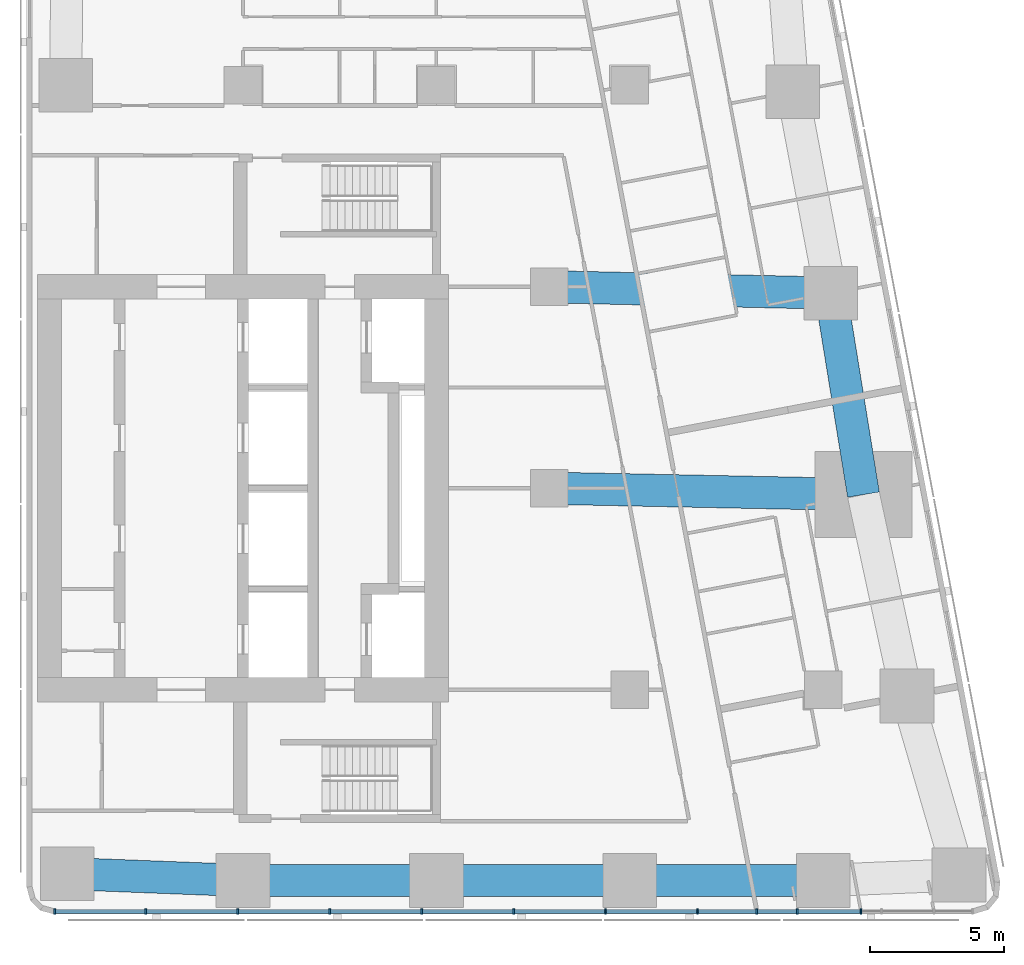
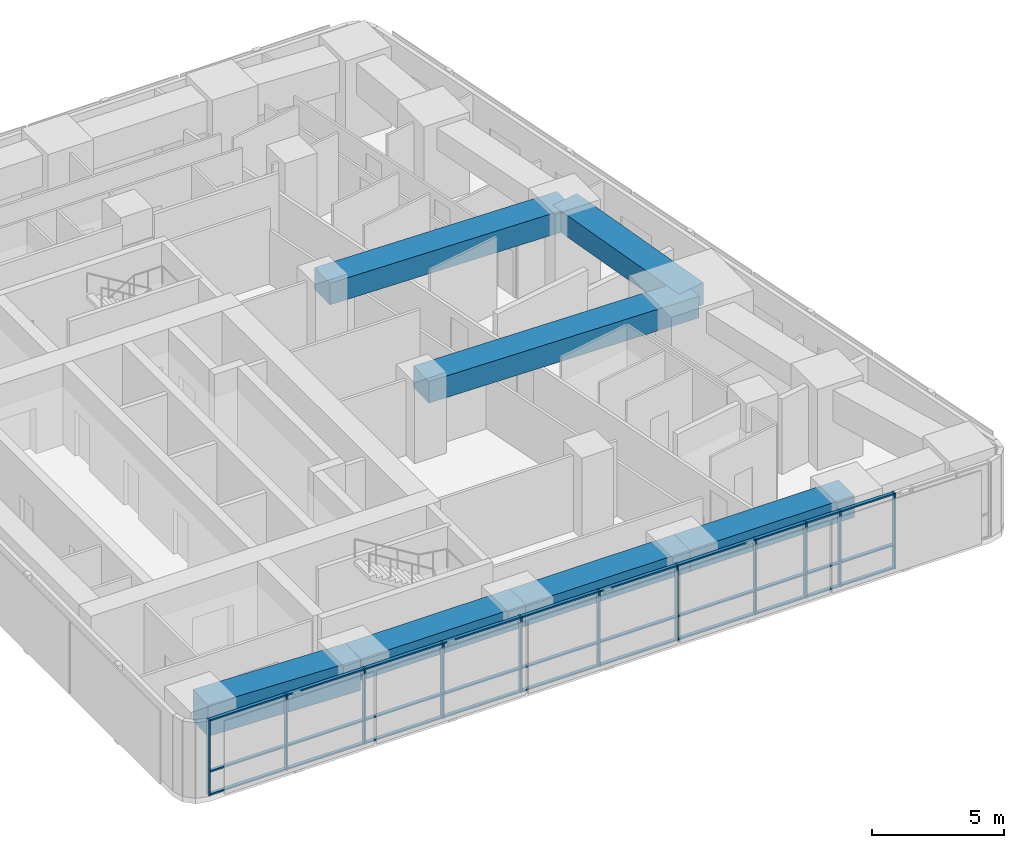
# One storey, part 2 of 11: 41 members, 7 beams, 1 element without a shape of its own.
"""IFC4 building model written with IfcOpenShell, lengths in metres."""

from ifc_helpers import new_model, si_unit, direction, frame, origin, origin_2d, place, context, subcontext, project, spatial, rectangle, extrude, material, material_profile, profile_set, type_object, element, aggregate, save


model = new_model("IFC4")

# Units and contexts
model_context = context("Model", 3, precision=1e-05, world=origin(), true_north=direction((0.0, 1.0)))
body_context = subcontext(model_context, "Body", "Model", "MODEL_VIEW")
ifc_project = project(units=[si_unit("LENGTHUNIT", "METRE"), si_unit("AREAUNIT", "SQUARE_METRE"), si_unit("VOLUMEUNIT", "CUBIC_METRE"), si_unit("PLANEANGLEUNIT", "RADIAN"), si_unit("MASSUNIT", "GRAM", prefix="KILO")], contexts=[model_context])

# Site, building, storey
site_placement = place(None, origin())
site = spatial("IfcSite", under=ifc_project, at=site_placement, CompositionType="ELEMENT")
building_placement = place(site_placement, origin())
building = spatial("IfcBuilding", under=site, at=building_placement, Name="Sheger Commons Tower", CompositionType="ELEMENT")
storey_placement = place(building_placement, frame((0.0, 0.0, 270.35009765625)))
storey = spatial("IfcBuildingStorey", under=building, at=storey_placement, Name="L69", CompositionType="ELEMENT", Elevation=270.35009765625)

# Beams
ifc_material_1 = material(Name="Concrete C50/60", Category="concrete")
ifc_material_profile_1 = material_profile(ifc_material_1, rectangle(XDim=1.199951171875, YDim=1.0, at=origin_2d()), Name="RC 1200x1000")
ifc_profile_set_1 = profile_set([ifc_material_profile_1], Name="Concrete C50/60")
beam_type_1 = type_object("IfcBeamType", Name="BEAM RC 1200x1000", PredefinedType="BEAM", material=ifc_profile_set_1)
beam_1_placement = place(storey_placement, frame((33.0, 22.5, 3.0), z_axis=(0.999794692776, -0.02026258368, 0.0), x_axis=(0.02026258368, 0.999794692776, 0.0)))
element("IfcBeam", 1, at=beam_1_placement, inside=storey, type_object=beam_type_1, Name="Beam 6-3000/D-7/D under L70", PredefinedType="BEAM", context=body_context, shape_type="SweptSolid", body=[
    extrude(rectangle(XDim=1.199951171875, YDim=1.0, at=origin_2d()), origin(), (0.0, 0.0, 1.0), 11.699462890625),
])
beam_2_placement = place(storey_placement, frame((33.0, 30.0, 3.0), z_axis=(0.999744258625, -0.022614538395, 0.0), x_axis=(0.022614538395, 0.999744258625, 0.0)))
element("IfcBeam", 2, at=beam_2_placement, inside=storey, type_object=beam_type_1, Name="Beam 6-3000/E-E/E under L70", PredefinedType="BEAM", context=body_context, shape_type="SweptSolid", body=[
    extrude(rectangle(XDim=1.199951171875, YDim=1.0, at=origin_2d()), origin(), (0.0, 0.0, 1.0), 10.482666015625),
])

# Curtain wall, members
ifc_material_2 = material(Name="Black aluminium curtain wall, dark tinted glazing", Category="aluminium")
curtain_wall_type = type_object("IfcCurtainWallType", Name="CURTAIN WALL CW5 SOUTH GALLERY", PredefinedType="USERDEFINED", material=ifc_material_2)
curtain_wall_placement = place(storey_placement, origin())
curtain_wall = element("IfcCurtainWall", 3, at=curtain_wall_placement, inside=storey, type_object=curtain_wall_type, Name="Curtain Wall Cw5 South Gallery S1 L69", ObjectType="UNITISED CURTAIN WALL", PredefinedType="USERDEFINED")
ifc_material_3 = material(Name="Black anodised aluminium", Category="aluminium")
ifc_material_profile_2 = material_profile(ifc_material_3, rectangle(XDim=0.199951171875, YDim=0.06494140625, at=origin_2d()), Name="AL 65x200")
ifc_profile_set_2 = profile_set([ifc_material_profile_2], Name="Black anodised aluminium")
member_type_1 = type_object("IfcMemberType", Name="MULLION AL 65x200", PredefinedType="MULLION", material=ifc_profile_set_2)
member_1_placement = place(storey_placement, frame((14.595458984375, 6.75, 0.0), z_axis=(0.0, 0.0, 1.0), x_axis=(0.0, 1.0, 0.0)))
member_1 = element("IfcMember", 4, at=member_1_placement, type_object=member_type_1, Name="CW5 mullion 1", PredefinedType="MULLION", context=body_context, shape_type="SweptSolid", body=[
    extrude(rectangle(XDim=0.199951171875, YDim=0.06494140625, at=origin_2d()), origin(), (0.0, 0.0, 1.0), 3.5),
])
member_2_placement = place(storey_placement, frame((17.985107421875, 6.75, 0.0), z_axis=(0.0, 0.0, 1.0), x_axis=(0.0, 1.0, 0.0)))
member_2 = element("IfcMember", 5, at=member_2_placement, type_object=member_type_1, Name="CW5 mullion 2", PredefinedType="MULLION", context=body_context, shape_type="SweptSolid", body=[
    extrude(rectangle(XDim=0.199951171875, YDim=0.06494140625, at=origin_2d()), origin(), (0.0, 0.0, 1.0), 3.5),
])
member_3_placement = place(storey_placement, frame((21.407958984375, 6.75, 0.0), z_axis=(0.0, 0.0, 1.0), x_axis=(0.0, 1.0, 0.0)))
member_3 = element("IfcMember", 6, at=member_3_placement, type_object=member_type_1, Name="CW5 mullion 3", PredefinedType="MULLION", context=body_context, shape_type="SweptSolid", body=[
    extrude(rectangle(XDim=0.199951171875, YDim=0.06494140625, at=origin_2d()), origin(), (0.0, 0.0, 1.0), 3.5),
])
member_4_placement = place(storey_placement, frame((24.830078125, 6.75, 0.0), z_axis=(0.0, 0.0, 1.0), x_axis=(0.0, 1.0, 0.0)))
member_4 = element("IfcMember", 7, at=member_4_placement, type_object=member_type_1, Name="CW5 mullion 4", PredefinedType="MULLION", context=body_context, shape_type="SweptSolid", body=[
    extrude(rectangle(XDim=0.199951171875, YDim=0.06494140625, at=origin_2d()), origin(), (0.0, 0.0, 1.0), 3.5),
])
member_5_placement = place(storey_placement, frame((28.2529296875, 6.75, 0.0), z_axis=(0.0, 0.0, 1.0), x_axis=(0.0, 1.0, 0.0)))
member_5 = element("IfcMember", 8, at=member_5_placement, type_object=member_type_1, Name="CW5 mullion 5", PredefinedType="MULLION", context=body_context, shape_type="SweptSolid", body=[
    extrude(rectangle(XDim=0.199951171875, YDim=0.06494140625, at=origin_2d()), origin(), (0.0, 0.0, 1.0), 3.5),
])
member_6_placement = place(storey_placement, frame((31.675048828125, 6.75, 0.0), z_axis=(0.0, 0.0, 1.0), x_axis=(0.0, 1.0, 0.0)))
member_6 = element("IfcMember", 9, at=member_6_placement, type_object=member_type_1, Name="CW5 mullion 6", PredefinedType="MULLION", context=body_context, shape_type="SweptSolid", body=[
    extrude(rectangle(XDim=0.199951171875, YDim=0.06494140625, at=origin_2d()), origin(), (0.0, 0.0, 1.0), 3.5),
])
member_7_placement = place(storey_placement, frame((35.096923828125, 6.75, 0.0), z_axis=(0.0, 0.0, 1.0), x_axis=(0.0, 1.0, 0.0)))
member_7 = element("IfcMember", 10, at=member_7_placement, type_object=member_type_1, Name="CW5 mullion 7", PredefinedType="MULLION", context=body_context, shape_type="SweptSolid", body=[
    extrude(rectangle(XDim=0.199951171875, YDim=0.06494140625, at=origin_2d()), origin(), (0.0, 0.0, 1.0), 3.5),
])
member_8_placement = place(storey_placement, frame((38.52001953125, 6.75, 0.0), z_axis=(0.0, 0.0, 1.0), x_axis=(0.0, 1.0, 0.0)))
member_8 = element("IfcMember", 11, at=member_8_placement, type_object=member_type_1, Name="CW5 mullion 8", PredefinedType="MULLION", context=body_context, shape_type="SweptSolid", body=[
    extrude(rectangle(XDim=0.199951171875, YDim=0.06494140625, at=origin_2d()), origin(), (0.0, 0.0, 1.0), 3.5),
])
member_9_placement = place(storey_placement, frame((40.72900390625, 6.75, 0.0), z_axis=(0.0, 0.0, 1.0), x_axis=(0.0, 1.0, 0.0)))
member_9 = element("IfcMember", 12, at=member_9_placement, type_object=member_type_1, Name="CW5 mullion 9", PredefinedType="MULLION", context=body_context, shape_type="SweptSolid", body=[
    extrude(rectangle(XDim=0.199951171875, YDim=0.06494140625, at=origin_2d()), origin(), (0.0, 0.0, 1.0), 3.5),
])
member_10_placement = place(storey_placement, frame((42.22802734375, 6.75, 0.0), z_axis=(0.0, 0.0, 1.0), x_axis=(0.0, 1.0, 0.0)))
member_10 = element("IfcMember", 13, at=member_10_placement, type_object=member_type_1, Name="CW5 mullion 10", PredefinedType="MULLION", context=body_context, shape_type="SweptSolid", body=[
    extrude(rectangle(XDim=0.199951171875, YDim=0.06494140625, at=origin_2d()), origin(), (0.0, 0.0, 1.0), 3.5),
])
member_11_placement = place(storey_placement, frame((44.60595703125, 6.75, 0.0), z_axis=(0.0, 0.0, 1.0), x_axis=(0.0, 1.0, 0.0)))
member_11 = element("IfcMember", 14, at=member_11_placement, type_object=member_type_1, Name="CW5 mullion 11", PredefinedType="MULLION", context=body_context, shape_type="SweptSolid", body=[
    extrude(rectangle(XDim=0.199951171875, YDim=0.06494140625, at=origin_2d()), origin(), (0.0, 0.0, 1.0), 3.5),
])

# Beams
ifc_material_4 = material(Name="Concrete C50/60", Category="concrete")
ifc_material_profile_3 = material_profile(ifc_material_4, rectangle(XDim=1.199951171875, YDim=1.0, at=origin_2d()), Name="RC 1200x1000")
ifc_profile_set_3 = profile_set([ifc_material_profile_3], Name="Concrete C50/60")
beam_type_2 = type_object("IfcBeamType", Name="SPANDREL RC 1200x1000", PredefinedType="SPANDREL", material=ifc_profile_set_3)
for number, where, z_axis, x_axis, name in (
    (15, (21.60009765625, 7.89990234375, 3.0), (1.0, 0.0, 0.0), (0.0, 1.0, 0.0), "Beam 4/B-5/B under L70"),
    (16, (28.800048828125, 7.89990234375, 3.0), (1.0, 0.0, 0.0), (0.0, 1.0, 0.0), "Beam 5/B-6/B under L70"),
    (17, (36.0, 7.89990234375, 3.0), (1.0, 0.0, 0.0), (0.0, 1.0, 0.0), "Beam 6/B-7/B under L70"),
):
    element("IfcBeam", number, at=place(storey_placement, frame(where, z_axis=z_axis, x_axis=x_axis)), inside=storey, type_object=beam_type_2, Name=name, PredefinedType="SPANDREL", context=body_context, shape_type="SweptSolid", body=[
        extrude(rectangle(XDim=1.199951171875, YDim=1.0, at=origin_2d()), origin(), (0.0, 0.0, 1.0), 7.199951171875),
    ])
beam_3_placement = place(storey_placement, frame((44.697021484375, 22.262939453125, 3.0), z_axis=(-0.160176929512, 0.987088319884, 0.0), x_axis=(-0.987088319884, -0.160176929512, 0.0)))
element("IfcBeam", 18, at=beam_3_placement, inside=storey, type_object=beam_type_2, Name="Beam E/D-E/E under L70", PredefinedType="SPANDREL", context=body_context, shape_type="SweptSolid", body=[
    extrude(rectangle(XDim=1.199951171875, YDim=1.0, at=origin_2d()), origin(), (0.0, 0.0, 1.0), 7.59814453125),
])
ifc_material_5 = material(Name="Concrete C50/60", Category="concrete")
ifc_material_profile_4 = material_profile(ifc_material_5, rectangle(XDim=1.199951171875, YDim=1.449951171875, at=origin_2d()), Name="RC 1200x1450")
ifc_profile_set_4 = profile_set([ifc_material_profile_4], Name="Concrete C50/60")
beam_type_3 = type_object("IfcBeamType", Name="SPANDREL RC 1200x1450", PredefinedType="SPANDREL", material=ifc_profile_set_4)
beam_4_placement = place(storey_placement, frame((15.053955078125, 8.154052734375, 2.77490234375), z_axis=(0.999247181966, -0.038795223079, 0.0), x_axis=(0.038795223079, 0.999247181966, 0.0)))
element("IfcBeam", 19, at=beam_4_placement, inside=storey, type_object=beam_type_3, Name="Beam 3/B-4/B under L70", PredefinedType="SPANDREL", context=body_context, shape_type="SweptSolid", body=[
    extrude(rectangle(XDim=1.199951171875, YDim=1.449951171875, at=origin_2d()), origin(), (0.0, 0.0, 1.0), 6.551025390625),
])

# Member
ifc_material_6 = material(Name="Black anodised aluminium", Category="aluminium")
ifc_material_profile_5 = material_profile(ifc_material_6, rectangle(XDim=0.14990234375, YDim=0.06494140625, at=origin_2d()), Name="AL 65x150")
ifc_profile_set_5 = profile_set([ifc_material_profile_5], Name="Black anodised aluminium")
member_type_2 = type_object("IfcMemberType", Name="TRANSOM AL 65x150", PredefinedType="USERDEFINED", material=ifc_profile_set_5)
member_12_placement = place(storey_placement, frame((14.6279296875, 6.75, 0.032470703125), z_axis=(1.0, 0.0, 0.0), x_axis=(0.0, 1.0, 0.0)))
member_12 = element("IfcMember", 20, at=member_12_placement, type_object=member_type_2, Name="CW5 transom 1.1", ObjectType="TRANSOM", PredefinedType="USERDEFINED", context=body_context, shape_type="SweptSolid", body=[
    extrude(rectangle(XDim=0.14990234375, YDim=0.06494140625, at=origin_2d()), origin(), (0.0, 0.0, 1.0), 3.324462890625),
])

member_13_placement = place(storey_placement, frame((14.6279296875, 6.75, 1.099853515625), z_axis=(1.0, 0.0, 0.0), x_axis=(0.0, 1.0, 0.0)))
member_13 = element("IfcMember", 21, at=member_13_placement, type_object=member_type_2, Name="CW5 transom 1.2", ObjectType="TRANSOM", PredefinedType="USERDEFINED", context=body_context, shape_type="SweptSolid", body=[
    extrude(rectangle(XDim=0.14990234375, YDim=0.06494140625, at=origin_2d()), origin(), (0.0, 0.0, 1.0), 3.324462890625),
])

member_14_placement = place(storey_placement, frame((14.6279296875, 6.75, 3.46728515625), z_axis=(1.0, 0.0, 0.0), x_axis=(0.0, 1.0, 0.0)))
member_14 = element("IfcMember", 22, at=member_14_placement, type_object=member_type_2, Name="CW5 transom 1.3", ObjectType="TRANSOM", PredefinedType="USERDEFINED", context=body_context, shape_type="SweptSolid", body=[
    extrude(rectangle(XDim=0.14990234375, YDim=0.06494140625, at=origin_2d()), origin(), (0.0, 0.0, 1.0), 3.324462890625),
])

member_15_placement = place(storey_placement, frame((18.017578125, 6.75, 0.032470703125), z_axis=(1.0, 0.0, 0.0), x_axis=(0.0, 1.0, 0.0)))
member_15 = element("IfcMember", 23, at=member_15_placement, type_object=member_type_2, Name="CW5 transom 2.1", ObjectType="TRANSOM", PredefinedType="USERDEFINED", context=body_context, shape_type="SweptSolid", body=[
    extrude(rectangle(XDim=0.14990234375, YDim=0.06494140625, at=origin_2d()), origin(), (0.0, 0.0, 1.0), 3.35791015625),
])

member_16_placement = place(storey_placement, frame((18.017578125, 6.75, 1.099853515625), z_axis=(1.0, 0.0, 0.0), x_axis=(0.0, 1.0, 0.0)))
member_16 = element("IfcMember", 24, at=member_16_placement, type_object=member_type_2, Name="CW5 transom 2.2", ObjectType="TRANSOM", PredefinedType="USERDEFINED", context=body_context, shape_type="SweptSolid", body=[
    extrude(rectangle(XDim=0.14990234375, YDim=0.06494140625, at=origin_2d()), origin(), (0.0, 0.0, 1.0), 3.35791015625),
])

member_17_placement = place(storey_placement, frame((18.017578125, 6.75, 3.46728515625), z_axis=(1.0, 0.0, 0.0), x_axis=(0.0, 1.0, 0.0)))
member_17 = element("IfcMember", 25, at=member_17_placement, type_object=member_type_2, Name="CW5 transom 2.3", ObjectType="TRANSOM", PredefinedType="USERDEFINED", context=body_context, shape_type="SweptSolid", body=[
    extrude(rectangle(XDim=0.14990234375, YDim=0.06494140625, at=origin_2d()), origin(), (0.0, 0.0, 1.0), 3.35791015625),
])

member_18_placement = place(storey_placement, frame((21.4404296875, 6.75, 0.032470703125), z_axis=(1.0, 0.0, 0.0), x_axis=(0.0, 1.0, 0.0)))
member_18 = element("IfcMember", 26, at=member_18_placement, type_object=member_type_2, Name="CW5 transom 3.1", ObjectType="TRANSOM", PredefinedType="USERDEFINED", context=body_context, shape_type="SweptSolid", body=[
    extrude(rectangle(XDim=0.14990234375, YDim=0.06494140625, at=origin_2d()), origin(), (0.0, 0.0, 1.0), 3.357177734375),
])

member_19_placement = place(storey_placement, frame((21.4404296875, 6.75, 1.099853515625), z_axis=(1.0, 0.0, 0.0), x_axis=(0.0, 1.0, 0.0)))
member_19 = element("IfcMember", 27, at=member_19_placement, type_object=member_type_2, Name="CW5 transom 3.2", ObjectType="TRANSOM", PredefinedType="USERDEFINED", context=body_context, shape_type="SweptSolid", body=[
    extrude(rectangle(XDim=0.14990234375, YDim=0.06494140625, at=origin_2d()), origin(), (0.0, 0.0, 1.0), 3.357177734375),
])

member_20_placement = place(storey_placement, frame((21.4404296875, 6.75, 3.46728515625), z_axis=(1.0, 0.0, 0.0), x_axis=(0.0, 1.0, 0.0)))
member_20 = element("IfcMember", 28, at=member_20_placement, type_object=member_type_2, Name="CW5 transom 3.3", ObjectType="TRANSOM", PredefinedType="USERDEFINED", context=body_context, shape_type="SweptSolid", body=[
    extrude(rectangle(XDim=0.14990234375, YDim=0.06494140625, at=origin_2d()), origin(), (0.0, 0.0, 1.0), 3.357177734375),
])

member_21_placement = place(storey_placement, frame((24.862548828125, 6.75, 0.032470703125), z_axis=(1.0, 0.0, 0.0), x_axis=(0.0, 1.0, 0.0)))
member_21 = element("IfcMember", 29, at=member_21_placement, type_object=member_type_2, Name="CW5 transom 4.1", ObjectType="TRANSOM", PredefinedType="USERDEFINED", context=body_context, shape_type="SweptSolid", body=[
    extrude(rectangle(XDim=0.14990234375, YDim=0.06494140625, at=origin_2d()), origin(), (0.0, 0.0, 1.0), 3.35791015625),
])

member_22_placement = place(storey_placement, frame((24.862548828125, 6.75, 1.099853515625), z_axis=(1.0, 0.0, 0.0), x_axis=(0.0, 1.0, 0.0)))
member_22 = element("IfcMember", 30, at=member_22_placement, type_object=member_type_2, Name="CW5 transom 4.2", ObjectType="TRANSOM", PredefinedType="USERDEFINED", context=body_context, shape_type="SweptSolid", body=[
    extrude(rectangle(XDim=0.14990234375, YDim=0.06494140625, at=origin_2d()), origin(), (0.0, 0.0, 1.0), 3.35791015625),
])

member_23_placement = place(storey_placement, frame((24.862548828125, 6.75, 3.46728515625), z_axis=(1.0, 0.0, 0.0), x_axis=(0.0, 1.0, 0.0)))
member_23 = element("IfcMember", 31, at=member_23_placement, type_object=member_type_2, Name="CW5 transom 4.3", ObjectType="TRANSOM", PredefinedType="USERDEFINED", context=body_context, shape_type="SweptSolid", body=[
    extrude(rectangle(XDim=0.14990234375, YDim=0.06494140625, at=origin_2d()), origin(), (0.0, 0.0, 1.0), 3.35791015625),
])

member_24_placement = place(storey_placement, frame((28.285400390625, 6.75, 0.032470703125), z_axis=(1.0, 0.0, 0.0), x_axis=(0.0, 1.0, 0.0)))
member_24 = element("IfcMember", 32, at=member_24_placement, type_object=member_type_2, Name="CW5 transom 5.1", ObjectType="TRANSOM", PredefinedType="USERDEFINED", context=body_context, shape_type="SweptSolid", body=[
    extrude(rectangle(XDim=0.14990234375, YDim=0.06494140625, at=origin_2d()), origin(), (0.0, 0.0, 1.0), 3.357177734375),
])

member_25_placement = place(storey_placement, frame((28.285400390625, 6.75, 1.099853515625), z_axis=(1.0, 0.0, 0.0), x_axis=(0.0, 1.0, 0.0)))
member_25 = element("IfcMember", 33, at=member_25_placement, type_object=member_type_2, Name="CW5 transom 5.2", ObjectType="TRANSOM", PredefinedType="USERDEFINED", context=body_context, shape_type="SweptSolid", body=[
    extrude(rectangle(XDim=0.14990234375, YDim=0.06494140625, at=origin_2d()), origin(), (0.0, 0.0, 1.0), 3.357177734375),
])

member_26_placement = place(storey_placement, frame((28.285400390625, 6.75, 3.46728515625), z_axis=(1.0, 0.0, 0.0), x_axis=(0.0, 1.0, 0.0)))
member_26 = element("IfcMember", 34, at=member_26_placement, type_object=member_type_2, Name="CW5 transom 5.3", ObjectType="TRANSOM", PredefinedType="USERDEFINED", context=body_context, shape_type="SweptSolid", body=[
    extrude(rectangle(XDim=0.14990234375, YDim=0.06494140625, at=origin_2d()), origin(), (0.0, 0.0, 1.0), 3.357177734375),
])

member_27_placement = place(storey_placement, frame((31.70751953125, 6.75, 0.032470703125), z_axis=(1.0, 0.0, 0.0), x_axis=(0.0, 1.0, 0.0)))
member_27 = element("IfcMember", 35, at=member_27_placement, type_object=member_type_2, Name="CW5 transom 6.1", ObjectType="TRANSOM", PredefinedType="USERDEFINED", context=body_context, shape_type="SweptSolid", body=[
    extrude(rectangle(XDim=0.14990234375, YDim=0.06494140625, at=origin_2d()), origin(), (0.0, 0.0, 1.0), 3.35693359375),
])

member_28_placement = place(storey_placement, frame((31.70751953125, 6.75, 1.099853515625), z_axis=(1.0, 0.0, 0.0), x_axis=(0.0, 1.0, 0.0)))
member_28 = element("IfcMember", 36, at=member_28_placement, type_object=member_type_2, Name="CW5 transom 6.2", ObjectType="TRANSOM", PredefinedType="USERDEFINED", context=body_context, shape_type="SweptSolid", body=[
    extrude(rectangle(XDim=0.14990234375, YDim=0.06494140625, at=origin_2d()), origin(), (0.0, 0.0, 1.0), 3.35693359375),
])

member_29_placement = place(storey_placement, frame((31.70751953125, 6.75, 3.46728515625), z_axis=(1.0, 0.0, 0.0), x_axis=(0.0, 1.0, 0.0)))
member_29 = element("IfcMember", 37, at=member_29_placement, type_object=member_type_2, Name="CW5 transom 6.3", ObjectType="TRANSOM", PredefinedType="USERDEFINED", context=body_context, shape_type="SweptSolid", body=[
    extrude(rectangle(XDim=0.14990234375, YDim=0.06494140625, at=origin_2d()), origin(), (0.0, 0.0, 1.0), 3.35693359375),
])

member_30_placement = place(storey_placement, frame((35.12939453125, 6.75, 0.032470703125), z_axis=(1.0, 0.0, 0.0), x_axis=(0.0, 1.0, 0.0)))
member_30 = element("IfcMember", 38, at=member_30_placement, type_object=member_type_2, Name="CW5 transom 7.1", ObjectType="TRANSOM", PredefinedType="USERDEFINED", context=body_context, shape_type="SweptSolid", body=[
    extrude(rectangle(XDim=0.14990234375, YDim=0.06494140625, at=origin_2d()), origin(), (0.0, 0.0, 1.0), 3.358154296875),
])

member_31_placement = place(storey_placement, frame((35.12939453125, 6.75, 1.099853515625), z_axis=(1.0, 0.0, 0.0), x_axis=(0.0, 1.0, 0.0)))
member_31 = element("IfcMember", 39, at=member_31_placement, type_object=member_type_2, Name="CW5 transom 7.2", ObjectType="TRANSOM", PredefinedType="USERDEFINED", context=body_context, shape_type="SweptSolid", body=[
    extrude(rectangle(XDim=0.14990234375, YDim=0.06494140625, at=origin_2d()), origin(), (0.0, 0.0, 1.0), 3.358154296875),
])

member_32_placement = place(storey_placement, frame((35.12939453125, 6.75, 3.46728515625), z_axis=(1.0, 0.0, 0.0), x_axis=(0.0, 1.0, 0.0)))
member_32 = element("IfcMember", 40, at=member_32_placement, type_object=member_type_2, Name="CW5 transom 7.3", ObjectType="TRANSOM", PredefinedType="USERDEFINED", context=body_context, shape_type="SweptSolid", body=[
    extrude(rectangle(XDim=0.14990234375, YDim=0.06494140625, at=origin_2d()), origin(), (0.0, 0.0, 1.0), 3.358154296875),
])

member_33_placement = place(storey_placement, frame((38.552490234375, 6.75, 0.032470703125), z_axis=(1.0, 0.0, 0.0), x_axis=(0.0, 1.0, 0.0)))
member_33 = element("IfcMember", 41, at=member_33_placement, type_object=member_type_2, Name="CW5 transom 8.1", ObjectType="TRANSOM", PredefinedType="USERDEFINED", context=body_context, shape_type="SweptSolid", body=[
    extrude(rectangle(XDim=0.14990234375, YDim=0.06494140625, at=origin_2d()), origin(), (0.0, 0.0, 1.0), 2.14404296875),
])

member_34_placement = place(storey_placement, frame((38.552490234375, 6.75, 1.099853515625), z_axis=(1.0, 0.0, 0.0), x_axis=(0.0, 1.0, 0.0)))
member_34 = element("IfcMember", 42, at=member_34_placement, type_object=member_type_2, Name="CW5 transom 8.2", ObjectType="TRANSOM", PredefinedType="USERDEFINED", context=body_context, shape_type="SweptSolid", body=[
    extrude(rectangle(XDim=0.14990234375, YDim=0.06494140625, at=origin_2d()), origin(), (0.0, 0.0, 1.0), 2.14404296875),
])

member_35_placement = place(storey_placement, frame((38.552490234375, 6.75, 3.46728515625), z_axis=(1.0, 0.0, 0.0), x_axis=(0.0, 1.0, 0.0)))
member_35 = element("IfcMember", 43, at=member_35_placement, type_object=member_type_2, Name="CW5 transom 8.3", ObjectType="TRANSOM", PredefinedType="USERDEFINED", context=body_context, shape_type="SweptSolid", body=[
    extrude(rectangle(XDim=0.14990234375, YDim=0.06494140625, at=origin_2d()), origin(), (0.0, 0.0, 1.0), 2.14404296875),
])

member_36_placement = place(storey_placement, frame((40.761474609375, 6.75, 0.032470703125), z_axis=(1.0, 0.0, 0.0), x_axis=(0.0, 1.0, 0.0)))
member_36 = element("IfcMember", 44, at=member_36_placement, type_object=member_type_2, Name="CW5 transom 9.1", ObjectType="TRANSOM", PredefinedType="USERDEFINED", context=body_context, shape_type="SweptSolid", body=[
    extrude(rectangle(XDim=0.14990234375, YDim=0.06494140625, at=origin_2d()), origin(), (0.0, 0.0, 1.0), 1.43408203125),
])

member_37_placement = place(storey_placement, frame((40.761474609375, 6.75, 1.099853515625), z_axis=(1.0, 0.0, 0.0), x_axis=(0.0, 1.0, 0.0)))
member_37 = element("IfcMember", 45, at=member_37_placement, type_object=member_type_2, Name="CW5 transom 9.2", ObjectType="TRANSOM", PredefinedType="USERDEFINED", context=body_context, shape_type="SweptSolid", body=[
    extrude(rectangle(XDim=0.14990234375, YDim=0.06494140625, at=origin_2d()), origin(), (0.0, 0.0, 1.0), 1.43408203125),
])

member_38_placement = place(storey_placement, frame((40.761474609375, 6.75, 3.46728515625), z_axis=(1.0, 0.0, 0.0), x_axis=(0.0, 1.0, 0.0)))
member_38 = element("IfcMember", 46, at=member_38_placement, type_object=member_type_2, Name="CW5 transom 9.3", ObjectType="TRANSOM", PredefinedType="USERDEFINED", context=body_context, shape_type="SweptSolid", body=[
    extrude(rectangle(XDim=0.14990234375, YDim=0.06494140625, at=origin_2d()), origin(), (0.0, 0.0, 1.0), 1.43408203125),
])

member_39_placement = place(storey_placement, frame((42.260498046875, 6.75, 0.032470703125), z_axis=(1.0, 0.0, 0.0), x_axis=(0.0, 1.0, 0.0)))
member_39 = element("IfcMember", 47, at=member_39_placement, type_object=member_type_2, Name="CW5 transom 10.1", ObjectType="TRANSOM", PredefinedType="USERDEFINED", context=body_context, shape_type="SweptSolid", body=[
    extrude(rectangle(XDim=0.14990234375, YDim=0.06494140625, at=origin_2d()), origin(), (0.0, 0.0, 1.0), 2.31298828125),
])

member_40_placement = place(storey_placement, frame((42.260498046875, 6.75, 1.099853515625), z_axis=(1.0, 0.0, 0.0), x_axis=(0.0, 1.0, 0.0)))
member_40 = element("IfcMember", 48, at=member_40_placement, type_object=member_type_2, Name="CW5 transom 10.2", ObjectType="TRANSOM", PredefinedType="USERDEFINED", context=body_context, shape_type="SweptSolid", body=[
    extrude(rectangle(XDim=0.14990234375, YDim=0.06494140625, at=origin_2d()), origin(), (0.0, 0.0, 1.0), 2.31298828125),
])

member_41_placement = place(storey_placement, frame((42.260498046875, 6.75, 3.46728515625), z_axis=(1.0, 0.0, 0.0), x_axis=(0.0, 1.0, 0.0)))
member_41 = element("IfcMember", 49, at=member_41_placement, type_object=member_type_2, Name="CW5 transom 10.3", ObjectType="TRANSOM", PredefinedType="USERDEFINED", context=body_context, shape_type="SweptSolid", body=[
    extrude(rectangle(XDim=0.14990234375, YDim=0.06494140625, at=origin_2d()), origin(), (0.0, 0.0, 1.0), 2.31298828125),
])

aggregate(curtain_wall, [member_1, member_2, member_3, member_4, member_5, member_6, member_7, member_8, member_9, member_10, member_11, member_12, member_13, member_14, member_15, member_16, member_17, member_18, member_19, member_20, member_21, member_22, member_23, member_24, member_25, member_26, member_27, member_28, member_29, member_30, member_31, member_32, member_33, member_34, member_35, member_36, member_37, member_38, member_39, member_40, member_41])

save(model, "model.ifc")
